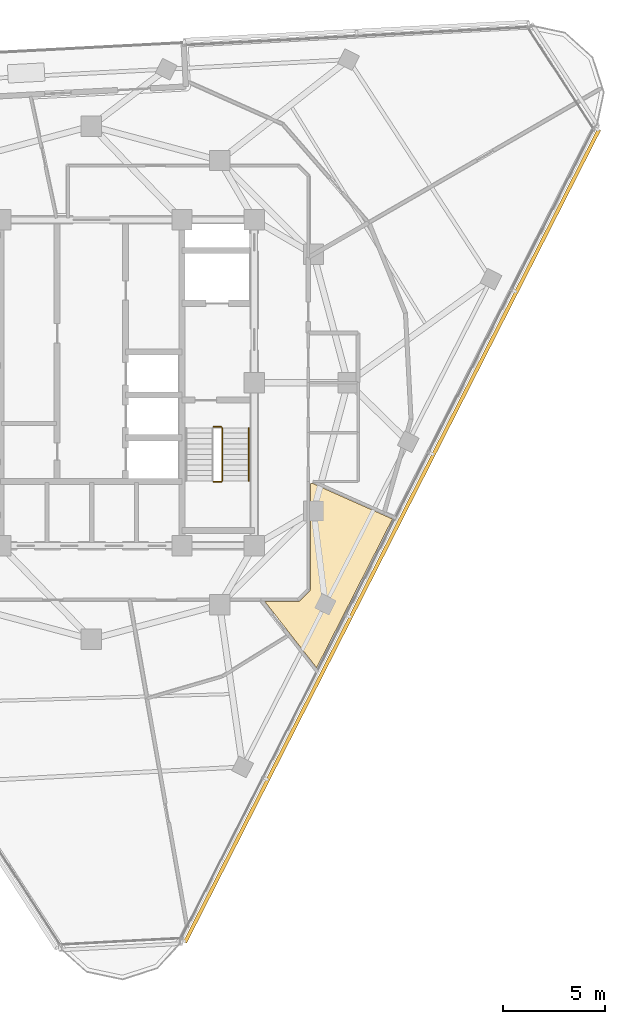
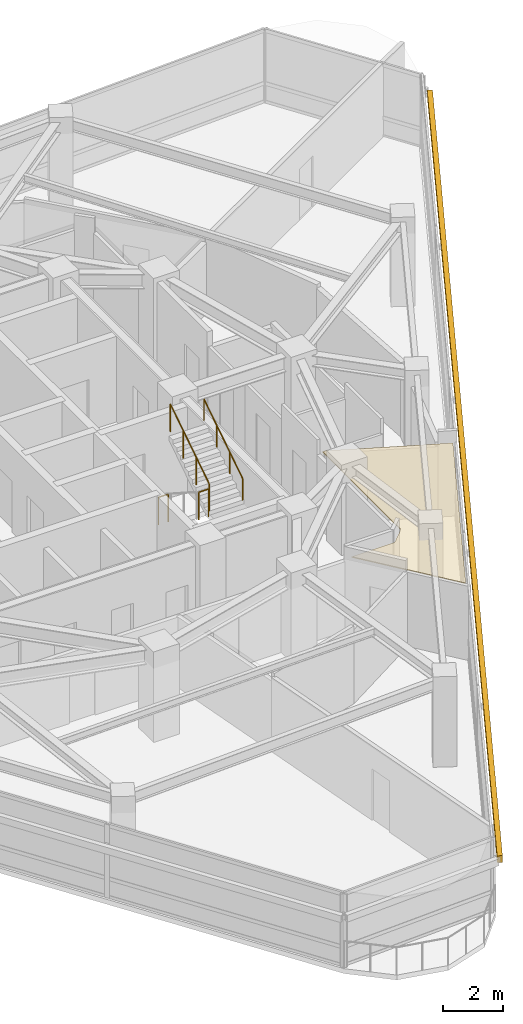
# One storey, part 13 of 15: 4 railings, 1 covering, 1 shading device.
"""IFC4 building model written with IfcOpenShell, lengths in metres."""

import ifcopenshell
import ifcopenshell.guid

model = None  # the IFC model being written
_history = None  # IfcOwnerHistory: only IFC2X3 demands one
_inside = {}  # id of a spatial element -> (the spatial element, [elements in it])
_under = {}  # id of a project, library or spatial element -> (it, [spatial elements below it])
_declared = {}  # id of a project -> (the project, [libraries it declares])
_typed = {}  # id of a type object -> (the type object, [elements of that type])
_made_of = {}  # id of a material, layer set ... -> (it, [elements and type objects made of it])


def new_model(schema):
    """Start an empty IFC model of exactly this schema.

    Asked for "IFC4X3", IfcOpenShell would pick the latest addendum, in which some entities
    have other attributes; the version numbers below select the first issue.
    IFC2X3 requires an IfcOwnerHistory on every rooted entity: one is made here for all.
    """
    global model, _history
    if schema == "IFC4X3":
        model = ifcopenshell.file(schema_version=(4, 3, 0, 0))
    else:
        model = ifcopenshell.file(schema=schema)
    _inside.clear()
    _under.clear()
    _declared.clear()
    _typed.clear()
    _made_of.clear()
    _history = None
    if model.schema == "IFC2X3":
        org = make("IfcOrganization", Name="unknown")
        user = make(
            "IfcPersonAndOrganization",
            ThePerson=make("IfcPerson", FamilyName="unknown"),
            TheOrganization=org,
        )
        app = make(
            "IfcApplication",
            ApplicationDeveloper=org,
            Version="unknown",
            ApplicationFullName="unknown",
            ApplicationIdentifier="unknown",
        )
        _history = make(
            "IfcOwnerHistory",
            OwningUser=user,
            OwningApplication=app,
            ChangeAction="ADDED",
            CreationDate=0,
        )
    return model


def make(cls, **values):
    """One entity of the class cls with the attributes given. An attribute that is None is left unset."""
    return model.create_entity(
        cls, **{name: value for name, value in values.items() if value is not None}
    )


def rooted(cls, **values):
    """An entity with a GlobalId (a new one), such as an element, a storey or a relation."""
    return make(cls, GlobalId=ifcopenshell.guid.new(), OwnerHistory=_history, **values)


def si_unit(unit_type, name, prefix=None):
    """IfcSIUnit, for example si_unit("LENGTHUNIT", "METRE", prefix="MILLI")."""
    return make("IfcSIUnit", UnitType=unit_type, Prefix=prefix, Name=name)


def assignment(units):
    """IfcUnitAssignment: the units of a project."""
    return None if units is None else make("IfcUnitAssignment", Units=units)


def point(xyz):
    """IfcCartesianPoint."""
    return None if xyz is None else make("IfcCartesianPoint", Coordinates=xyz)


def direction(xyz):
    """IfcDirection."""
    return None if xyz is None else make("IfcDirection", DirectionRatios=xyz)


def frame(location, z_axis=None, x_axis=None):
    """IfcAxis2Placement3D, a coordinate frame: its origin and axes. An axis left out is left unset."""
    return make(
        "IfcAxis2Placement3D",
        Location=point(location),
        Axis=direction(z_axis),
        RefDirection=direction(x_axis),
    )


def frame_2d(location, x_axis=None):
    """IfcAxis2Placement2D, a coordinate frame in the plane: its origin and x axis."""
    return make(
        "IfcAxis2Placement2D", Location=point(location), RefDirection=direction(x_axis)
    )


def origin():
    """The frame at (0, 0, 0) with its axes left unset."""
    return frame((0.0, 0.0, 0.0))


def origin_2d():
    """The frame at (0, 0) in the plane with its x axis left unset."""
    return frame_2d((0.0, 0.0))


def place(relative_to, where):
    """IfcLocalPlacement: puts the frame where relative to a parent placement (None: the world)."""
    return make(
        "IfcLocalPlacement", PlacementRelTo=relative_to, RelativePlacement=where
    )


def context(
    kind, dimensions, precision=None, world=None, true_north=None, identifier=None
):
    """IfcGeometricRepresentationContext, for example the 3D "Model" context."""
    return make(
        "IfcGeometricRepresentationContext",
        ContextIdentifier=identifier,
        ContextType=kind,
        CoordinateSpaceDimension=dimensions,
        Precision=precision,
        WorldCoordinateSystem=world,
        TrueNorth=true_north,
    )


def subcontext(parent, identifier, kind, view, scale=None):
    """IfcGeometricRepresentationSubContext, for example "Body" below "Model"."""
    return make(
        "IfcGeometricRepresentationSubContext",
        ContextIdentifier=identifier,
        ContextType=kind,
        ParentContext=parent,
        TargetScale=scale,
        TargetView=view,
    )


def project(units=None, contexts=None):
    """IfcProject with its units and contexts."""
    return rooted(
        "IfcProject",
        Name="project",
        RepresentationContexts=contexts,
        UnitsInContext=assignment(units),
    )


def spatial(cls, under=None, at=None, **own):
    """A site, building, storey or space (cls), placed at a placement, below another one or the project."""
    s = rooted(cls, ObjectPlacement=at, **own)
    if under is not None:
        _under.setdefault(under.id(), (under, []))[1].append(s)
    return s


def polyline(points):
    """IfcPolyline through the points."""
    return make("IfcPolyline", Points=[point(p) for p in points])


def profile(cls, at=None, kind="AREA", **sizes):
    """A parametric profile (cls). Its sizes go by their IFC names, for example OverallWidth=200.0."""
    return make(cls, ProfileType=kind, Position=at, **sizes)


def rectangle(**sizes):
    """IfcRectangleProfileDef."""
    return profile("IfcRectangleProfileDef", **sizes)


def circle(**sizes):
    """IfcCircleProfileDef."""
    return profile("IfcCircleProfileDef", **sizes)


def outline(outer, holes=None, kind="AREA"):
    """IfcArbitraryClosedProfileDef: a profile drawn as a closed curve; with holes, ...WithVoids."""
    if holes is None:
        return make("IfcArbitraryClosedProfileDef", ProfileType=kind, OuterCurve=outer)
    return make(
        "IfcArbitraryProfileDefWithVoids",
        ProfileType=kind,
        OuterCurve=outer,
        InnerCurves=holes,
    )


def extrude(swept, where, along, depth):
    """IfcExtrudedAreaSolid: the profile swept, set in the frame where, extruded along a direction by depth."""
    return make(
        "IfcExtrudedAreaSolid",
        SweptArea=swept,
        Position=where,
        ExtrudedDirection=direction(along),
        Depth=depth,
    )


def shape(context_of_items, identifier, shape_type, items):
    """IfcShapeRepresentation: the items that make up one representation, for example the "Body"."""
    return make(
        "IfcShapeRepresentation",
        ContextOfItems=context_of_items,
        RepresentationIdentifier=identifier,
        RepresentationType=shape_type,
        Items=items,
    )


def material(Name=None, Category=None):
    """IfcMaterial."""
    return make("IfcMaterial", Name=Name, Category=Category)


def layer(
    of_material, thickness, ventilated=None, Name=None, Category=None, Priority=None
):
    """IfcMaterialLayer: one layer of a wall or slab, of a material (None: an air gap)."""
    return make(
        "IfcMaterialLayer",
        Material=of_material,
        LayerThickness=thickness,
        IsVentilated=ventilated,
        Name=Name,
        Category=Category,
        Priority=Priority,
    )


def layer_set(layers, Name=None):
    """IfcMaterialLayerSet."""
    return make("IfcMaterialLayerSet", MaterialLayers=layers, LayerSetName=Name)


def made_of(thing, what):
    """Note that an element or type object is made of a material, layer set ...; save() writes the relation."""
    if what is not None:
        _made_of.setdefault(what.id(), (what, []))[1].append(thing)
    return thing


def type_object(cls, material=None, **own):
    """A type object (cls), such as IfcWallType, which elements share."""
    return made_of(rooted(cls, **own), material)


def element(
    cls,
    number,
    at=None,
    inside=None,
    cuts=None,
    type_object=None,
    material=None,
    context=None,
    identifier="Body",
    shape_type=None,
    held_by="IfcProductDefinitionShape",
    body=None,
    shapes=None,
    **own,
):
    """One element of the class cls, such as IfcWall. Its Tag is "e" and its number.

    at: its placement. inside: the storey or other place that contains it. cuts: it is an
    opening in that element (IfcRelVoidsElement). A single representation is given by context,
    identifier, shape_type and body (its items); several are given by shapes. held_by: the class
    of the entity that holds the representations. save() writes the other relations.
    """
    e = rooted(cls, Tag="e%d" % number, ObjectPlacement=at, **own)
    if body is not None:
        shapes = [shape(context, identifier, shape_type, body)]
    if shapes is not None:
        e.Representation = make(held_by, Representations=shapes)
    if inside is not None:
        _inside.setdefault(inside.id(), (inside, []))[1].append(e)
    if cuts is not None:
        rooted(
            "IfcRelVoidsElement", RelatingBuildingElement=cuts, RelatedOpeningElement=e
        )
    if type_object is not None:
        _typed.setdefault(type_object.id(), (type_object, []))[1].append(e)
    return made_of(e, material)


def aggregate(whole, parts):
    """IfcRelAggregates: a whole, such as a stair, and the parts it consists of."""
    return rooted("IfcRelAggregates", RelatingObject=whole, RelatedObjects=parts)


def save(model, path):
    """Write the relations noted so far, then the file.

    IfcRelAggregates (storeys below a building ...), IfcRelContainedInSpatialStructure (elements
    in a storey), IfcRelDefinesByType, IfcRelAssociatesMaterial and IfcRelDeclares: one each for
    every whole, place, type object, material and project.
    """
    for whole, parts in _under.values():
        aggregate(whole, parts)
    for where, things in _inside.values():
        rooted(
            "IfcRelContainedInSpatialStructure",
            RelatedElements=things,
            RelatingStructure=where,
        )
    for kind, things in _typed.values():
        rooted("IfcRelDefinesByType", RelatedObjects=things, RelatingType=kind)
    for what, things in _made_of.values():
        rooted("IfcRelAssociatesMaterial", RelatedObjects=things, RelatingMaterial=what)
    for by, libraries in _declared.values():
        rooted("IfcRelDeclares", RelatingContext=by, RelatedDefinitions=libraries)
    model.write(path)


model = new_model("IFC4")

# Units and contexts
model_context = context("Model", 3, precision=1e-05, world=origin(), true_north=direction((0.0, 1.0)))
body_context = subcontext(model_context, "Body", "Model", "MODEL_VIEW")
ifc_project = project(units=[si_unit("LENGTHUNIT", "METRE"), si_unit("AREAUNIT", "SQUARE_METRE"), si_unit("VOLUMEUNIT", "CUBIC_METRE"), si_unit("PLANEANGLEUNIT", "RADIAN"), si_unit("MASSUNIT", "GRAM", prefix="KILO")], contexts=[model_context])

# Site, building, storey
site_placement = place(None, origin())
site = spatial("IfcSite", under=ifc_project, at=site_placement, CompositionType="ELEMENT")
building_placement = place(site_placement, origin())
building = spatial("IfcBuilding", under=site, at=building_placement, Name="Terralouvre Media Tower", CompositionType="ELEMENT")
storey_placement = place(building_placement, frame((0.0, 0.0, 270.699951171875)))
storey = spatial("IfcBuildingStorey", under=building, at=storey_placement, Name="L70", CompositionType="ELEMENT", Elevation=270.699951171875)

# Covering
ifc_material_1 = material(Name="Perforated aluminium acoustic ceiling baffle", Category="aluminium")
ifc_layer_1 = layer(ifc_material_1, 0.0400390625, Name="Perforated Acoustic Metal Tile Ceiling CL-AC1")
ifc_layer_set_1 = layer_set([ifc_layer_1], Name="Perforated aluminium acoustic ceiling baffle")
covering_type = type_object("IfcCoveringType", Name="Perforated Acoustic Metal Tile Ceiling CL-AC1", PredefinedType="CEILING", material=ifc_layer_set_1)
covering_placement = place(storey_placement, frame((0.0, 0.0, 2.97998046875), z_axis=(0.0, 0.0, 1.0), x_axis=(0.45399049974, 0.891006524188, 0.0)))
element("IfcCovering", 1, at=covering_placement, inside=storey, type_object=covering_type, Name="L70 Broadcast Floor Crew Room 5 Acoustic Ceiling", PredefinedType="CEILING", context=body_context, shape_type="SweptSolid", body=[
    extrude(outline(polyline([(0.525146484375, -11.93408203125), (0.469970703125, -11.82568359375), (-4.163330078125, -14.186279296875), (-4.17236328125, -14.1904296875), (-4.181640625, -14.193603515625), (-4.191162109375, -14.195556640625), (-4.200927734375, -14.197021484375), (-4.210693359375, -14.197265625), (-4.220458984375, -14.196533203125), (-4.230224609375, -14.19482421875), (-4.239501953125, -14.1923828125), (-4.912109375, -13.973876953125), (-4.92138671875, -13.97021484375), (-4.929931640625, -13.966064453125), (-4.9384765625, -13.960693359375), (-4.946044921875, -13.954833984375), (-4.953369140625, -13.947998046875), (-4.959716796875, -13.940673828125), (-4.96533203125, -13.9326171875), (-4.97021484375, -13.924072265625), (-5.70751953125, -12.47705078125), (-6.565673828125, -14.31591796875), (-7.449462890625, -16.212158203125), (0.74951171875, -16.212890625), (0.723388671875, -15.720458984375), (0.525146484375, -11.93408203125)])), origin(), (0.0, 0.0, 1.0), 0.0400390625),
])

# Railings
ifc_material_2 = material(Name="Stainless steel 316 handrail and balustrade", Category="steel")
ifc_layer_2 = layer(ifc_material_2, 0.050048828125, Name="Stair Flight Wall Handrail HR-INT1")
ifc_layer_set_2 = layer_set([ifc_layer_2], Name="Stainless steel 316 handrail and balustrade")
railing_type_1 = type_object("IfcRailingType", Name="Stair Flight Wall Handrail HR-INT1", PredefinedType="HANDRAIL", material=ifc_layer_set_2)
railing_1_placement = place(storey_placement, frame((7.72998046875, -4.820068359375, 2.018310546875)))
element("IfcRailing", 2, at=railing_1_placement, inside=storey, type_object=railing_type_1, Name="L70 ST-02 stair handrail 2", PredefinedType="HANDRAIL", context=body_context, shape_type="SweptSolid", body=[
    extrude(circle(Radius=0.02392578125, at=origin_2d()), frame((0.0, 0.0, 0.8759765625), z_axis=(0.0, 0.839684365666, 0.543074733399), x_axis=(-1.0, 0.0, 0.0)), (0.0, 0.0, 1.0), 3.096435546875),
    extrude(circle(Radius=0.02099609375, at=origin_2d()), origin(), (0.0, 0.0, 1.0), 0.851806640625),
    extrude(circle(Radius=0.02099609375, at=origin_2d()), frame((0.0, 0.86669921875, 0.560546875)), (0.0, 0.0, 1.0), 0.851806640625),
    extrude(circle(Radius=0.02099609375, at=origin_2d()), frame((0.0, 1.7333984375, 1.12109375)), (0.0, 0.0, 1.0), 0.851806640625),
    extrude(circle(Radius=0.02099609375, at=origin_2d()), frame((0.0, 2.60009765625, 1.681640625)), (0.0, 0.0, 1.0), 0.851806640625),
])
ifc_material_3 = material(Name="Stainless steel 316 handrail and balustrade", Category="steel")
ifc_layer_3 = layer(ifc_material_3, 0.050048828125, Name="Stairwell Safety Guardrail GR-INT1")
ifc_layer_set_3 = layer_set([ifc_layer_3], Name="Stainless steel 316 handrail and balustrade")
railing_type_2 = type_object("IfcRailingType", Name="Stairwell Safety Guardrail GR-INT1", PredefinedType="GUARDRAIL", material=ifc_layer_set_3)
railing_2_placement = place(storey_placement, frame((6.0, -4.8701171875, 1.85009765625)))
element("IfcRailing", 3, at=railing_2_placement, inside=storey, type_object=railing_type_2, Name="L70 ST-02 stair guard 2", PredefinedType="GUARDRAIL", context=body_context, shape_type="SweptSolid", body=[
    extrude(circle(Radius=0.02392578125, at=origin_2d()), frame((0.0, 0.0, 1.1259765625), z_axis=(1.0, 0.0, 0.0), x_axis=(0.0, 1.0, 0.0)), (0.0, 0.0, 1.0), 0.3798828125),
    extrude(circle(Radius=0.02099609375, at=origin_2d()), origin(), (0.0, 0.0, 1.0), 1.101806640625),
    extrude(circle(Radius=0.02099609375, at=origin_2d()), frame((0.3798828125, 0.0, 0.0)), (0.0, 0.0, 1.0), 1.101806640625),
])
railing_3_placement = place(storey_placement, frame((6.429931640625, -4.820068359375, 2.018310546875)))
element("IfcRailing", 4, at=railing_3_placement, inside=storey, type_object=railing_type_2, Name="L70 ST-02 stair guard 3", PredefinedType="GUARDRAIL", context=body_context, shape_type="SweptSolid", body=[
    extrude(circle(Radius=0.02392578125, at=origin_2d()), frame((0.0, 0.0, 1.1259765625), z_axis=(0.0, 0.839684365666, 0.543074733399), x_axis=(-1.0, 0.0, 0.0)), (0.0, 0.0, 1.0), 3.096435546875),
    extrude(circle(Radius=0.02099609375, at=origin_2d()), origin(), (0.0, 0.0, 1.0), 1.101806640625),
    extrude(circle(Radius=0.02099609375, at=origin_2d()), frame((0.0, 0.86669921875, 0.560546875)), (0.0, 0.0, 1.0), 1.101806640625),
    extrude(circle(Radius=0.02099609375, at=origin_2d()), frame((0.0, 1.7333984375, 1.12109375)), (0.0, 0.0, 1.0), 1.101806640625),
    extrude(circle(Radius=0.02099609375, at=origin_2d()), frame((0.0, 2.60009765625, 1.681640625)), (0.0, 0.0, 1.0), 1.101806640625),
])
railing_4_placement = place(storey_placement, frame((6.0, -2.169921875, 0.0)))
element("IfcRailing", 5, at=railing_4_placement, inside=storey, type_object=railing_type_2, Name="L70 ST-02 stair guard 4", PredefinedType="GUARDRAIL", context=body_context, shape_type="SweptSolid", body=[
    extrude(circle(Radius=0.02392578125, at=origin_2d()), frame((0.0, 0.0, 1.1259765625), z_axis=(1.0, 0.0, 0.0), x_axis=(0.0, 1.0, 0.0)), (0.0, 0.0, 1.0), 0.3798828125),
    extrude(circle(Radius=0.02099609375, at=origin_2d()), origin(), (0.0, 0.0, 1.0), 1.101806640625),
    extrude(circle(Radius=0.02099609375, at=origin_2d()), frame((0.3798828125, 0.0, 0.0)), (0.0, 0.0, 1.0), 1.101806640625),
])

# Shading device
ifc_material_4 = material(Name="Extruded terracotta baguette sunshade louvres", Category="masonry")
shading_device_type = type_object("IfcShadingDeviceType", Name="Terracotta Baguette Sunshade Louvre Screen TB-LV1", PredefinedType="USERDEFINED", material=ifc_material_4)
shading_device_placement = place(storey_placement, frame((14.766357421875, -7.52392578125, 2.02392578125), z_axis=(0.0, 0.0, 1.0), x_axis=(0.45399044259, 0.891006553308, 0.0)))
element("IfcShadingDevice", 6, at=shading_device_placement, inside=storey, type_object=shading_device_type, Name="CW-L70-F0 Terracotta Baguette Sunshade Louvre", ObjectType="BAGUETTE", PredefinedType="USERDEFINED", context=body_context, shape_type="SweptSolid", body=[
    extrude(rectangle(XDim=44.800048828125, YDim=0.179931640625, at=origin_2d()), origin(), (0.0, 0.0, 1.0), 0.280029296875),
])

save(model, "model.ifc")
